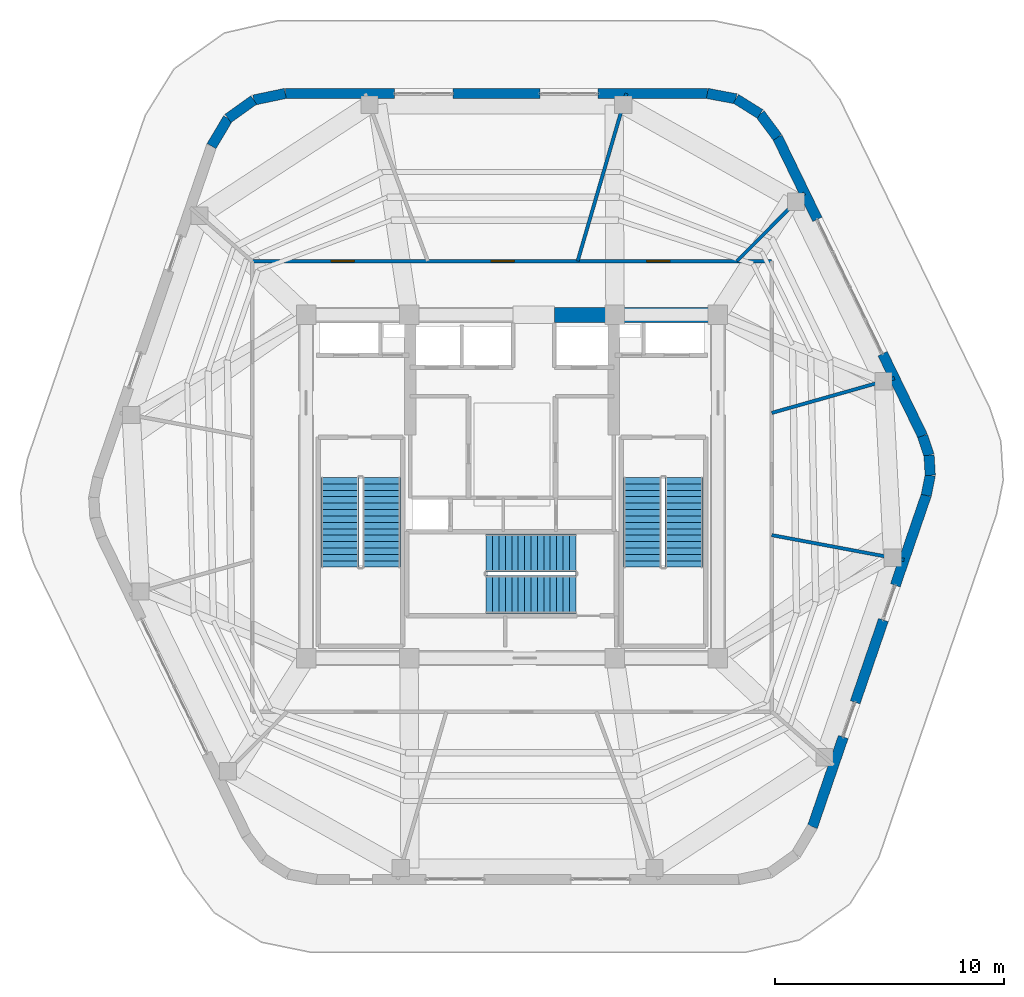
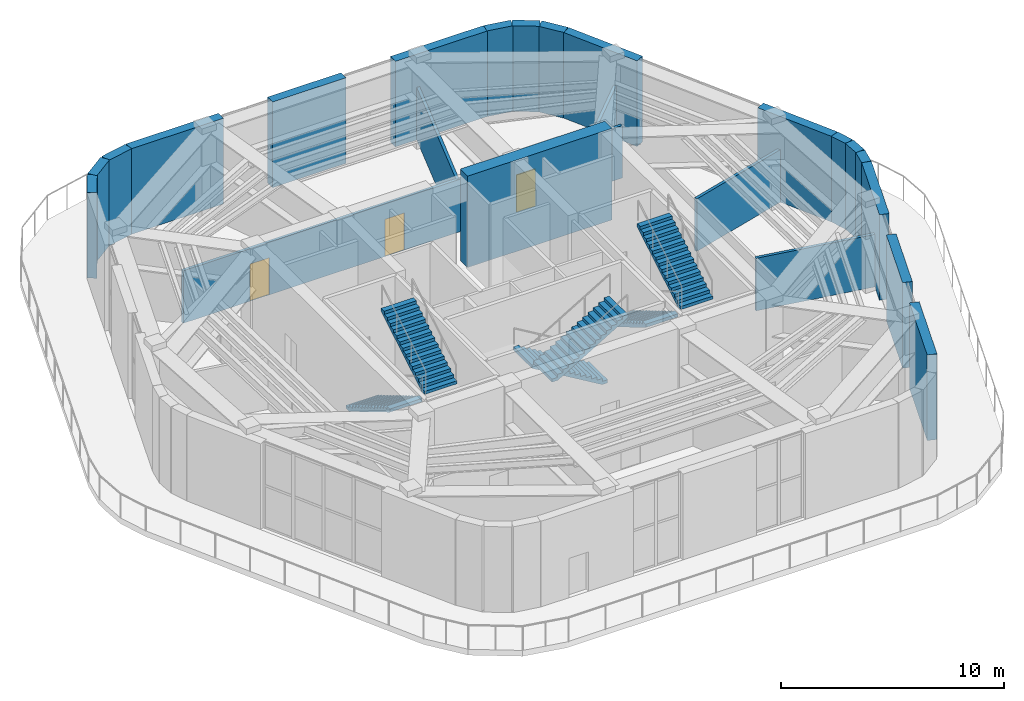
# One storey, part 19 of 24: 23 walls, 6 stair flights, 3 doors, 3 openings, 3 elements without a shape of their own.
"""IFC4 building model written with IfcOpenShell, lengths in metres."""

from ifc_helpers import new_model, si_unit, direction, frame, frame_2d, origin, place, context, subcontext, project, spatial, polyline, rectangle, outline, extrude, material, layer, layer_set, type_object, element, fill, aggregate, save


model = new_model("IFC4")

# Units and contexts
model_context = context("Model", 3, precision=1e-05, world=origin(), true_north=direction((0.0, 1.0)))
body_context = subcontext(model_context, "Body", "Model", "MODEL_VIEW")
ifc_project = project(units=[si_unit("LENGTHUNIT", "METRE"), si_unit("AREAUNIT", "SQUARE_METRE"), si_unit("VOLUMEUNIT", "CUBIC_METRE"), si_unit("PLANEANGLEUNIT", "RADIAN"), si_unit("MASSUNIT", "GRAM", prefix="KILO")], contexts=[model_context])

# Site, building, storey
site_placement = place(None, origin())
site = spatial("IfcSite", under=ifc_project, at=site_placement, CompositionType="ELEMENT")
building_placement = place(site_placement, origin())
building = spatial("IfcBuilding", under=site, at=building_placement, Name="Kilnhurst Terrace Hotel", CompositionType="ELEMENT")
storey_placement = place(building_placement, frame((0.0, 0.0, 305.39990234375)))
storey = spatial("IfcBuildingStorey", under=building, at=storey_placement, Name="L76", CompositionType="ELEMENT", Elevation=305.39990234375)

# Walls
ifc_material_1 = material(Name="Precast concrete C40/50", Category="concrete")
ifc_layer_1 = layer(ifc_material_1, 0.449951171875, Name="Precast concrete C40/50")
ifc_layer_set_1 = layer_set([ifc_layer_1], Name="Precast concrete C40/50")
wall_type_1 = type_object("IfcWallType", Name="WL-BRK-450", PredefinedType="SOLIDWALL", material=ifc_layer_set_1)
wall_1_placement = place(storey_placement, frame((18.100341796875, -0.38916015625, 0.0), z_axis=(0.0, 0.0, 1.0), x_axis=(0.198587865476, 0.980083088154, 0.0)))
element("IfcWall", 1, at=wall_1_placement, inside=storey, type_object=wall_type_1, Name="L76 Rounded Corner Brick Wall C3.1", PredefinedType="SOLIDWALL", context=body_context, shape_type="SweptSolid", body=[
    extrude(rectangle(XDim=0.892578125, YDim=0.449951171875, at=frame_2d((0.4462890625, 0.0))), origin(), (0.0, 0.0, 1.0), 4.68017578125),
])
wall_2_placement = place(storey_placement, frame((18.277587890625, 0.485595703125, 0.0), z_axis=(0.0, 0.0, 1.0), x_axis=(-0.060923410031, 0.998142443798, 0.0)))
element("IfcWall", 2, at=wall_2_placement, inside=storey, type_object=wall_type_1, Name="L76 Rounded Corner Brick Wall C3.2", PredefinedType="SOLIDWALL", context=body_context, shape_type="SweptSolid", body=[
    extrude(rectangle(XDim=0.877685546875, YDim=0.449951171875, at=frame_2d((0.43896484375, 0.0))), origin(), (0.0, 0.0, 1.0), 4.68017578125),
])
wall_3_placement = place(storey_placement, frame((18.22412109375, 1.361572265625, 0.0), z_axis=(0.0, 0.0, 1.0), x_axis=(-0.316227766017, 0.948683298051, 0.0)))
element("IfcWall", 3, at=wall_3_placement, inside=storey, type_object=wall_type_1, Name="L76 Rounded Corner Brick Wall C3.3", PredefinedType="SOLIDWALL", context=body_context, shape_type="SweptSolid", body=[
    extrude(rectangle(XDim=0.892578125, YDim=0.449951171875, at=frame_2d((0.4462890625, 0.0))), origin(), (0.0, 0.0, 1.0), 4.68017578125),
])
wall_4_placement = place(storey_placement, frame((11.6015625, 15.256103515625, 0.0), z_axis=(0.0, 0.0, 1.0), x_axis=(-0.596058719353, 0.802940846566, 0.0)))
element("IfcWall", 4, at=wall_4_placement, inside=storey, type_object=wall_type_1, Name="L76 Rounded Corner Brick Wall C4.1", PredefinedType="SOLIDWALL", context=body_context, shape_type="SweptSolid", body=[
    extrude(rectangle(XDim=1.27099609375, YDim=0.449951171875, at=frame_2d((0.635498046875, 0.0))), origin(), (0.0, 0.0, 1.0), 4.68017578125),
])
wall_5_placement = place(storey_placement, frame((10.843994140625, 16.276611328125, 0.0), z_axis=(0.0, 0.0, 1.0), x_axis=(-0.847723789959, 0.530437909597, 0.0)))
element("IfcWall", 5, at=wall_5_placement, inside=storey, type_object=wall_type_1, Name="L76 Rounded Corner Brick Wall C4.2", PredefinedType="SOLIDWALL", context=body_context, shape_type="SweptSolid", body=[
    extrude(rectangle(XDim=1.24951171875, YDim=0.449951171875, at=frame_2d((0.624755859375, 0.0))), origin(), (0.0, 0.0, 1.0), 4.68017578125),
])
wall_6_placement = place(storey_placement, frame((9.78466796875, 16.939453125, 0.0), z_axis=(0.0, 0.0, 1.0), x_axis=(-0.982664955661, 0.185390358204, 0.0)))
element("IfcWall", 6, at=wall_6_placement, inside=storey, type_object=wall_type_1, Name="L76 Rounded Corner Brick Wall C4.3", PredefinedType="SOLIDWALL", context=body_context, shape_type="SweptSolid", body=[
    extrude(rectangle(XDim=1.270751953125, YDim=0.449951171875, at=frame_2d((0.63525390625, 0.0))), origin(), (0.0, 0.0, 1.0), 4.68017578125),
])
wall_7_placement = place(storey_placement, frame((-9.90771484375, 17.175048828125, 0.0), z_axis=(0.0, 0.0, 1.0), x_axis=(-0.978709642506, -0.205249691027, 0.0)))
element("IfcWall", 7, at=wall_7_placement, inside=storey, type_object=wall_type_1, Name="L76 Rounded Corner Brick Wall C5.1", PredefinedType="SOLIDWALL", context=body_context, shape_type="SweptSolid", body=[
    extrude(rectangle(XDim=1.4072265625, YDim=0.449951171875, at=frame_2d((0.70361328125, 0.0))), origin(), (0.0, 0.0, 1.0), 4.68017578125),
])
wall_8_placement = place(storey_placement, frame((-11.284912109375, 16.88623046875, 0.0), z_axis=(0.0, 0.0, 1.0), x_axis=(-0.813840765051, -0.581087953017, 0.0)))
element("IfcWall", 8, at=wall_8_placement, inside=storey, type_object=wall_type_1, Name="L76 Rounded Corner Brick Wall C5.2", PredefinedType="SOLIDWALL", context=body_context, shape_type="SweptSolid", body=[
    extrude(rectangle(XDim=1.383544921875, YDim=0.449951171875, at=frame_2d((0.69189453125, 0.0))), origin(), (0.0, 0.0, 1.0), 4.68017578125),
])
wall_9_placement = place(storey_placement, frame((-12.410888671875, 16.082275390625, 0.0), z_axis=(0.0, 0.0, 1.0), x_axis=(-0.511788829014, -0.859111281789, 0.0)))
element("IfcWall", 9, at=wall_9_placement, inside=storey, type_object=wall_type_1, Name="L76 Rounded Corner Brick Wall C5.3", PredefinedType="SOLIDWALL", context=body_context, shape_type="SweptSolid", body=[
    extrude(rectangle(XDim=1.4072265625, YDim=0.449951171875, at=frame_2d((0.70361328125, 0.0))), origin(), (0.0, 0.0, 1.0), 4.68017578125),
])
wall_10_placement = place(storey_placement, frame((13.131103515625, -14.873291015625, 0.0), z_axis=(0.0, 0.0, 1.0), x_axis=(0.324498911717, 0.945886069405, 0.0)))
element("IfcWall", 10, at=wall_10_placement, inside=storey, type_object=wall_type_1, Name="L76 Face 2 Brick Pier 1", PredefinedType="SOLIDWALL", context=body_context, shape_type="SweptSolid", body=[
    extrude(rectangle(XDim=4.14697265625, YDim=0.449951171875, at=frame_2d((2.073486328125, 0.0))), origin(), (0.0, 0.0, 1.0), 4.68017578125),
])
wall_11_placement = place(storey_placement, frame((14.997802734375, -9.4326171875, 0.0), z_axis=(0.0, 0.0, 1.0), x_axis=(0.324503351443, 0.945884546286, 0.0)))
element("IfcWall", 11, at=wall_11_placement, inside=storey, type_object=wall_type_1, Name="L76 Face 2 Brick Pier 2", PredefinedType="SOLIDWALL", context=body_context, shape_type="SweptSolid", body=[
    extrude(rectangle(XDim=3.800048828125, YDim=0.449951171875, at=frame_2d((1.89990234375, 0.0))), origin(), (0.0, 0.0, 1.0), 4.68017578125),
])
wall_12_placement = place(storey_placement, frame((16.751708984375, -4.320068359375, 0.0), z_axis=(0.0, 0.0, 1.0), x_axis=(0.324516563827, 0.945880013428, 0.0)))
element("IfcWall", 12, at=wall_12_placement, inside=storey, type_object=wall_type_1, Name="L76 Face 2 End Brick Pier", PredefinedType="SOLIDWALL", context=body_context, shape_type="SweptSolid", body=[
    extrude(rectangle(XDim=4.15576171875, YDim=0.449951171875, at=frame_2d((2.077880859375, 0.0))), origin(), (0.0, 0.0, 1.0), 4.68017578125),
])
wall_13_placement = place(storey_placement, frame((17.94189453125, 2.208251953125, 0.0), z_axis=(0.0, 0.0, 1.0), x_axis=(-0.437062225544, 0.899431270861, 0.0)))
element("IfcWall", 13, at=wall_13_placement, inside=storey, type_object=wall_type_1, Name="L76 Face 3 Brick Pier 1", PredefinedType="SOLIDWALL", context=body_context, shape_type="SweptSolid", body=[
    extrude(rectangle(XDim=3.993896484375, YDim=0.449951171875, at=frame_2d((1.9970703125, 0.0))), origin(), (0.0, 0.0, 1.0), 4.68017578125),
])
wall_14_placement = place(storey_placement, frame((13.343994140625, 11.670166015625, 0.0), z_axis=(0.0, 0.0, 1.0), x_axis=(-0.437044105444, 0.899440075768, 0.0)))
element("IfcWall", 14, at=wall_14_placement, inside=storey, type_object=wall_type_1, Name="L76 Face 3 End Brick Pier", PredefinedType="SOLIDWALL", context=body_context, shape_type="SweptSolid", body=[
    extrude(rectangle(XDim=3.98681640625, YDim=0.449951171875, at=frame_2d((1.993408203125, 0.0))), origin(), (0.0, 0.0, 1.0), 4.68017578125),
])
wall_15_placement = place(storey_placement, frame((8.535888671875, 17.175048828125, 0.0), z_axis=(0.0, 0.0, 1.0), x_axis=(-1.0, 0.0, 0.0)))
element("IfcWall", 15, at=wall_15_placement, inside=storey, type_object=wall_type_1, Name="L76 Face 4 Brick Pier 1", PredefinedType="SOLIDWALL", context=body_context, shape_type="SweptSolid", body=[
    extrude(rectangle(XDim=4.777099609375, YDim=0.449951171875, at=frame_2d((2.388671875, 0.0))), origin(), (0.0, 0.0, 1.0), 4.68017578125),
])
wall_16_placement = place(storey_placement, frame((1.212890625, 17.175048828125, 0.0), z_axis=(0.0, 0.0, 1.0), x_axis=(-1.0, 0.0, 0.0)))
element("IfcWall", 16, at=wall_16_placement, inside=storey, type_object=wall_type_1, Name="L76 Face 4 Brick Pier 2", PredefinedType="SOLIDWALL", context=body_context, shape_type="SweptSolid", body=[
    extrude(rectangle(XDim=3.800048828125, YDim=0.449951171875, at=frame_2d((1.89990234375, 0.0))), origin(), (0.0, 0.0, 1.0), 4.68017578125),
])
wall_17_placement = place(storey_placement, frame((-5.13427734375, 17.175048828125, 0.0), z_axis=(0.0, 0.0, 1.0), x_axis=(-1.0, 0.0, 0.0)))
element("IfcWall", 17, at=wall_17_placement, inside=storey, type_object=wall_type_1, Name="L76 Face 4 End Brick Pier", PredefinedType="SOLIDWALL", context=body_context, shape_type="SweptSolid", body=[
    extrude(rectangle(XDim=4.7734375, YDim=0.449951171875, at=frame_2d((2.38671875, 0.0))), origin(), (0.0, 0.0, 1.0), 4.68017578125),
])

# Wall, openings, doors
ifc_material_2 = material(Name="Acoustic Double-Gypsum Corridor Partition Assembly")
ifc_layer_2 = layer(ifc_material_2, 0.14990234375, Name="Acoustic Double-Gypsum Corridor Partition Assembly")
ifc_layer_set_2 = layer_set([ifc_layer_2], Name="Acoustic Double-Gypsum Corridor Partition Assembly")
wall_type_2 = type_object("IfcWallType", Name="WL-COR-150", PredefinedType="PARTITIONING", material=ifc_layer_set_2)
wall_18_placement = place(storey_placement, frame((-11.35009765625, 9.85009765625, 0.0), z_axis=(0.0, 0.0, 1.0), x_axis=(1.0, 0.0, 0.0)))
wall_18 = element("IfcWall", 18, at=wall_18_placement, inside=storey, type_object=wall_type_2, Name="L76 Interior Wall WL-L76-COR-02", PredefinedType="PARTITIONING", context=body_context, shape_type="SweptSolid", body=[
    extrude(rectangle(XDim=22.7001953125, YDim=0.14990234375, at=frame_2d((11.35009765625, 0.0))), origin(), (0.0, 0.0, 1.0), 2.8701171875),
])
opening_1_placement = place(wall_18_placement, frame((17.2490234375, 0.0, 0.0)))
opening_1 = element("IfcOpeningElement", 19, at=opening_1_placement, cuts=wall_18, Name="Opening D-10A", PredefinedType="OPENING", context=body_context, shape_type="SweptSolid", body=[
    extrude(rectangle(XDim=1.0, YDim=2.030029296875, at=frame_2d((0.5, 1.01513671875))), frame((0.0, 0.0849609375, 0.0), z_axis=(0.0, -1.0, 0.0), x_axis=(1.0, 0.0, 0.0)), (0.0, 0.0, 1.0), 0.169921875),
])
opening_2_placement = place(wall_18_placement, frame((10.44091796875, 0.0, 0.0)))
opening_2 = element("IfcOpeningElement", 20, at=opening_2_placement, cuts=wall_18, Name="Opening D-10A", PredefinedType="OPENING", context=body_context, shape_type="SweptSolid", body=[
    extrude(rectangle(XDim=1.0, YDim=2.030029296875, at=frame_2d((0.5, 1.01513671875))), frame((0.0, 0.0849609375, 0.0), z_axis=(0.0, -1.0, 0.0), x_axis=(1.0, 0.0, 0.0)), (0.0, 0.0, 1.0), 0.169921875),
])
opening_3_placement = place(wall_18_placement, frame((3.4541015625, 0.0, 0.0)))
opening_3 = element("IfcOpeningElement", 21, at=opening_3_placement, cuts=wall_18, Name="Opening D-10A", PredefinedType="OPENING", context=body_context, shape_type="SweptSolid", body=[
    extrude(rectangle(XDim=1.0, YDim=2.030029296875, at=frame_2d((0.5, 1.01513671875))), frame((0.0, 0.0849609375, 0.0), z_axis=(0.0, -1.0, 0.0), x_axis=(1.0, 0.0, 0.0)), (0.0, 0.0, 1.0), 0.169921875),
])
ifc_material_3 = material(Name="Solid-Core American White Oak Interior Door")
door_type = type_object("IfcDoorType", Name="DR-INT-1000", OperationType="NOTDEFINED", PredefinedType="DOOR", material=ifc_material_3)
door_1_placement = place(opening_1_placement, origin())
door_1 = element("IfcDoor", 22, at=door_1_placement, inside=storey, type_object=door_type, Name="L76 North East Observation Indoor Gallery Center Wing Door", OperationType="SINGLE_SWING_RIGHT", OverallHeight=2.030029296875, OverallWidth=1.0, PredefinedType="DOOR", context=body_context, shape_type="SweptSolid", body=[
    extrude(rectangle(XDim=1.0, YDim=2.030029296875, at=frame_2d((0.5, 1.01513671875))), frame((0.0, 0.02490234375, 0.0), z_axis=(0.0, -1.0, 0.0), x_axis=(1.0, 0.0, 0.0)), (0.0, 0.0, 1.0), 0.050048828125),
])
fill(opening_1, door_1)
door_2_placement = place(opening_2_placement, origin())
door_2 = element("IfcDoor", 23, at=door_2_placement, inside=storey, type_object=door_type, Name="L76 North East Observation Indoor Gallery East Wing Door", OperationType="SINGLE_SWING_LEFT", OverallHeight=2.030029296875, OverallWidth=1.0, PredefinedType="DOOR", context=body_context, shape_type="SweptSolid", body=[
    extrude(rectangle(XDim=1.0, YDim=2.030029296875, at=frame_2d((0.5, 1.01513671875))), frame((0.0, 0.02490234375, 0.0), z_axis=(0.0, -1.0, 0.0), x_axis=(1.0, 0.0, 0.0)), (0.0, 0.0, 1.0), 0.050048828125),
])
fill(opening_2, door_2)
door_3_placement = place(opening_3_placement, origin())
door_3 = element("IfcDoor", 24, at=door_3_placement, inside=storey, type_object=door_type, Name="L76 North West Horizon Exhibition Hall West Wing Door", OperationType="SINGLE_SWING_RIGHT", OverallHeight=2.030029296875, OverallWidth=1.0, PredefinedType="DOOR", context=body_context, shape_type="SweptSolid", body=[
    extrude(rectangle(XDim=1.0, YDim=2.030029296875, at=frame_2d((0.5, 1.01513671875))), frame((0.0, 0.02490234375, 0.0), z_axis=(0.0, -1.0, 0.0), x_axis=(1.0, 0.0, 0.0)), (0.0, 0.0, 1.0), 0.050048828125),
])
fill(opening_3, door_3)

# Walls
ifc_material_4 = material(Name="Concrete C60/75", Category="concrete")
ifc_layer_3 = layer(ifc_material_4, 0.64990234375, Name="Concrete C60/75")
ifc_layer_set_3 = layer_set([ifc_layer_3], Name="Concrete C60/75")
wall_type_3 = type_object("IfcWallType", Name="WL-CORE-650", PredefinedType="SHEAR", material=ifc_layer_set_3)
wall_19_placement = place(storey_placement, frame((1.85009765625, 7.5, 0.0), z_axis=(0.0, 0.0, 1.0), x_axis=(1.0, 0.0, 0.0)))
element("IfcWall", 25, at=wall_19_placement, inside=storey, type_object=wall_type_3, Name="L76 Core North East Shear Wall", PredefinedType="SHEAR", context=body_context, shape_type="SweptSolid", body=[
    extrude(rectangle(XDim=7.474853515625, YDim=0.64990234375, at=frame_2d((3.7373046875, 0.0))), origin(), (0.0, 0.0, 1.0), 5.0),
])
ifc_material_5 = material(Name="150 mm Acoustic Gypsum Hospitality Partition")
ifc_layer_4 = layer(ifc_material_5, 0.14990234375, Name="150 mm Acoustic Gypsum Hospitality Partition")
ifc_layer_set_4 = layer_set([ifc_layer_4], Name="150 mm Acoustic Gypsum Hospitality Partition")
wall_type_4 = type_object("IfcWallType", Name="WL-PART-150", PredefinedType="PARTITIONING", material=ifc_layer_set_4)
wall_20_placement = place(storey_placement, frame((11.35009765625, 3.212890625, 0.0), z_axis=(0.0, 0.0, 1.0), x_axis=(0.962182015747, 0.272407357782, 0.0)))
element("IfcWall", 26, at=wall_20_placement, inside=storey, type_object=wall_type_4, Name="L76 Interior Wall WL-L76-SCOL-01-1", PredefinedType="PARTITIONING", context=body_context, shape_type="SweptSolid", body=[
    extrude(rectangle(XDim=5.576416015625, YDim=0.14990234375, at=frame_2d((2.7880859375, 0.0))), origin(), (0.0, 0.0, 1.0), 2.8701171875),
])
wall_21_placement = place(storey_placement, frame((9.830078125, 9.85009765625, 0.0), z_axis=(0.0, 0.0, 1.0), x_axis=(0.706435999186, 0.707776927467, 0.0)))
element("IfcWall", 27, at=wall_21_placement, inside=storey, type_object=wall_type_4, Name="L76 Interior Wall WL-L76-SCOL-02-1", PredefinedType="PARTITIONING", context=body_context, shape_type="SweptSolid", body=[
    extrude(rectangle(XDim=4.1875, YDim=0.14990234375, at=frame_2d((2.09375, 0.0))), origin(), (0.0, 0.0, 1.0), 2.8701171875),
])
wall_22_placement = place(storey_placement, frame((2.869384765625, 9.85009765625, 0.0), z_axis=(0.0, 0.0, 1.0), x_axis=(0.279679268414, 0.960093488583, 0.0)))
element("IfcWall", 28, at=wall_22_placement, inside=storey, type_object=wall_type_4, Name="L76 Interior Wall WL-L76-SCOL-03-1", PredefinedType="PARTITIONING", context=body_context, shape_type="SweptSolid", body=[
    extrude(rectangle(XDim=7.62939453125, YDim=0.14990234375, at=frame_2d((3.814697265625, 0.0))), origin(), (0.0, 0.0, 1.0), 2.8701171875),
])
wall_23_placement = place(storey_placement, frame((11.35009765625, -2.127197265625, 0.0), z_axis=(0.0, 0.0, 1.0), x_axis=(0.982876415115, -0.184265983326, 0.0)))
element("IfcWall", 29, at=wall_23_placement, inside=storey, type_object=wall_type_4, Name="L76 Interior Wall WL-L76-SCOL-12-1", PredefinedType="PARTITIONING", context=body_context, shape_type="SweptSolid", body=[
    extrude(rectangle(XDim=5.8828125, YDim=0.14990234375, at=frame_2d((2.94140625, 0.0))), origin(), (0.0, 0.0, 1.0), 2.8701171875),
])

# Stair, stair flights
ifc_material_6 = material(Name="Concrete C50/60", Category="concrete")
stair_type = type_object("IfcStairType", Name="STR-CORE-1660", PredefinedType="HALF_TURN_STAIR", material=ifc_material_6)
stair_1_placement = place(storey_placement, origin())
stair_1 = element("IfcStair", 30, at=stair_1_placement, inside=storey, type_object=stair_type, Name="L76 ST-1", PredefinedType="HALF_TURN_STAIR")
stair_flight_type = type_object("IfcStairFlightType", Name="FLT-RC-1660", PredefinedType="STRAIGHT", material=ifc_material_6)
stair_flight_1_placement = place(storey_placement, frame((-7.52001953125, 0.389892578125, 0.0), z_axis=(0.0, 0.0, 1.0), x_axis=(0.0, -1.0, 0.0)))
stair_flight_1 = element("IfcStairFlight", 31, at=stair_flight_1_placement, type_object=stair_flight_type, Name="ST-1 flight 1", NumberOfRisers=15, NumberOfTreads=14, PredefinedType="STRAIGHT", RiserHeight=0.166666667, TreadLength=0.28, context=body_context, shape_type="SweptSolid", body=[
    extrude(outline(polyline([(0.0, 0.0), (0.0, 0.166748046875), (0.280029296875, 0.166748046875), (0.280029296875, 0.333251953125), (0.56005859375, 0.333251953125), (0.56005859375, 0.5), (0.840087890625, 0.5), (0.840087890625, 0.666748046875), (1.1201171875, 0.666748046875), (1.1201171875, 0.833251953125), (1.39990234375, 0.833251953125), (1.39990234375, 1.0), (1.679931640625, 1.0), (1.679931640625, 1.166748046875), (1.9599609375, 1.166748046875), (1.9599609375, 1.333251953125), (2.239990234375, 1.333251953125), (2.239990234375, 1.5), (2.52001953125, 1.5), (2.52001953125, 1.666748046875), (2.800048828125, 1.666748046875), (2.800048828125, 1.833251953125), (3.080078125, 1.833251953125), (3.080078125, 2.0), (3.360107421875, 2.0), (3.360107421875, 2.166748046875), (3.639892578125, 2.166748046875), (3.639892578125, 2.333251953125), (3.919921875, 2.333251953125), (3.919921875, 2.5), (3.919921875, 2.158935546875), (0.29296875, 0.0), (0.0, 0.0)])), frame((0.0, 0.830078125, 0.0), z_axis=(0.0, -1.0, 0.0), x_axis=(1.0, 0.0, 0.0)), (0.0, 0.0, 1.0), 1.659912109375),
])
stair_flight_2_placement = place(storey_placement, frame((-5.7099609375, -3.530029296875, 2.5), z_axis=(0.0, 0.0, 1.0), x_axis=(0.0, 1.0, 0.0)))
stair_flight_2 = element("IfcStairFlight", 32, at=stair_flight_2_placement, type_object=stair_flight_type, Name="ST-1 flight 2", NumberOfRisers=15, NumberOfTreads=14, PredefinedType="STRAIGHT", RiserHeight=0.166666667, TreadLength=0.28, context=body_context, shape_type="SweptSolid", body=[
    extrude(outline(polyline([(0.0, 0.0), (0.0, 0.166748046875), (0.280029296875, 0.166748046875), (0.280029296875, 0.333251953125), (0.56005859375, 0.333251953125), (0.56005859375, 0.5), (0.840087890625, 0.5), (0.840087890625, 0.666748046875), (1.1201171875, 0.666748046875), (1.1201171875, 0.833251953125), (1.39990234375, 0.833251953125), (1.39990234375, 1.0), (1.679931640625, 1.0), (1.679931640625, 1.166748046875), (1.9599609375, 1.166748046875), (1.9599609375, 1.333251953125), (2.239990234375, 1.333251953125), (2.239990234375, 1.5), (2.52001953125, 1.5), (2.52001953125, 1.666748046875), (2.800048828125, 1.666748046875), (2.800048828125, 1.833251953125), (3.080078125, 1.833251953125), (3.080078125, 2.0), (3.360107421875, 2.0), (3.360107421875, 2.166748046875), (3.639892578125, 2.166748046875), (3.639892578125, 2.333251953125), (3.919921875, 2.333251953125), (3.919921875, 2.5), (3.919921875, 2.158935546875), (0.29296875, 0.0), (0.0, 0.0)])), frame((0.0, 0.830078125, 0.0), z_axis=(0.0, -1.0, 0.0), x_axis=(1.0, 0.0, 0.0)), (0.0, 0.0, 1.0), 1.659912109375),
])
aggregate(stair_1, [stair_flight_1, stair_flight_2])

stair_2_placement = place(storey_placement, origin())
stair_2 = element("IfcStair", 33, at=stair_2_placement, inside=storey, type_object=stair_type, Name="L76 ST-2", PredefinedType="HALF_TURN_STAIR")
stair_flight_3_placement = place(storey_placement, frame((5.7099609375, 0.389892578125, 0.0), z_axis=(0.0, 0.0, 1.0), x_axis=(0.0, -1.0, 0.0)))
stair_flight_3 = element("IfcStairFlight", 34, at=stair_flight_3_placement, type_object=stair_flight_type, Name="ST-2 flight 1", NumberOfRisers=15, NumberOfTreads=14, PredefinedType="STRAIGHT", RiserHeight=0.166666667, TreadLength=0.28, context=body_context, shape_type="SweptSolid", body=[
    extrude(outline(polyline([(0.0, 0.0), (0.0, 0.166748046875), (0.280029296875, 0.166748046875), (0.280029296875, 0.333251953125), (0.56005859375, 0.333251953125), (0.56005859375, 0.5), (0.840087890625, 0.5), (0.840087890625, 0.666748046875), (1.1201171875, 0.666748046875), (1.1201171875, 0.833251953125), (1.39990234375, 0.833251953125), (1.39990234375, 1.0), (1.679931640625, 1.0), (1.679931640625, 1.166748046875), (1.9599609375, 1.166748046875), (1.9599609375, 1.333251953125), (2.239990234375, 1.333251953125), (2.239990234375, 1.5), (2.52001953125, 1.5), (2.52001953125, 1.666748046875), (2.800048828125, 1.666748046875), (2.800048828125, 1.833251953125), (3.080078125, 1.833251953125), (3.080078125, 2.0), (3.360107421875, 2.0), (3.360107421875, 2.166748046875), (3.639892578125, 2.166748046875), (3.639892578125, 2.333251953125), (3.919921875, 2.333251953125), (3.919921875, 2.5), (3.919921875, 2.158935546875), (0.29296875, 0.0), (0.0, 0.0)])), frame((0.0, 0.830078125, 0.0), z_axis=(0.0, -1.0, 0.0), x_axis=(1.0, 0.0, 0.0)), (0.0, 0.0, 1.0), 1.659912109375),
])
stair_flight_4_placement = place(storey_placement, frame((7.52001953125, -3.530029296875, 2.5), z_axis=(0.0, 0.0, 1.0), x_axis=(0.0, 1.0, 0.0)))
stair_flight_4 = element("IfcStairFlight", 35, at=stair_flight_4_placement, type_object=stair_flight_type, Name="ST-2 flight 2", NumberOfRisers=15, NumberOfTreads=14, PredefinedType="STRAIGHT", RiserHeight=0.166666667, TreadLength=0.28, context=body_context, shape_type="SweptSolid", body=[
    extrude(outline(polyline([(0.0, 0.0), (0.0, 0.166748046875), (0.280029296875, 0.166748046875), (0.280029296875, 0.333251953125), (0.56005859375, 0.333251953125), (0.56005859375, 0.5), (0.840087890625, 0.5), (0.840087890625, 0.666748046875), (1.1201171875, 0.666748046875), (1.1201171875, 0.833251953125), (1.39990234375, 0.833251953125), (1.39990234375, 1.0), (1.679931640625, 1.0), (1.679931640625, 1.166748046875), (1.9599609375, 1.166748046875), (1.9599609375, 1.333251953125), (2.239990234375, 1.333251953125), (2.239990234375, 1.5), (2.52001953125, 1.5), (2.52001953125, 1.666748046875), (2.800048828125, 1.666748046875), (2.800048828125, 1.833251953125), (3.080078125, 1.833251953125), (3.080078125, 2.0), (3.360107421875, 2.0), (3.360107421875, 2.166748046875), (3.639892578125, 2.166748046875), (3.639892578125, 2.333251953125), (3.919921875, 2.333251953125), (3.919921875, 2.5), (3.919921875, 2.158935546875), (0.29296875, 0.0), (0.0, 0.0)])), frame((0.0, 0.830078125, 0.0), z_axis=(0.0, -1.0, 0.0), x_axis=(1.0, 0.0, 0.0)), (0.0, 0.0, 1.0), 1.659912109375),
])
aggregate(stair_2, [stair_flight_3, stair_flight_4])

stair_3_placement = place(storey_placement, origin())
stair_3 = element("IfcStair", 36, at=stair_3_placement, inside=storey, type_object=stair_type, Name="L76 ST-3", PredefinedType="HALF_TURN_STAIR")
stair_flight_5_placement = place(storey_placement, frame((2.7900390625, -2.909912109375, 0.0), z_axis=(0.0, 0.0, 1.0), x_axis=(-1.0, 0.0, 0.0)))
stair_flight_5 = element("IfcStairFlight", 37, at=stair_flight_5_placement, type_object=stair_flight_type, Name="ST-3 flight 1", NumberOfRisers=15, NumberOfTreads=14, PredefinedType="STRAIGHT", RiserHeight=0.166666667, TreadLength=0.28, context=body_context, shape_type="SweptSolid", body=[
    extrude(outline(polyline([(0.0, 0.0), (0.0, 0.166748046875), (0.280029296875, 0.166748046875), (0.280029296875, 0.333251953125), (0.56005859375, 0.333251953125), (0.56005859375, 0.5), (0.840087890625, 0.5), (0.840087890625, 0.666748046875), (1.1201171875, 0.666748046875), (1.1201171875, 0.833251953125), (1.39990234375, 0.833251953125), (1.39990234375, 1.0), (1.679931640625, 1.0), (1.679931640625, 1.166748046875), (1.9599609375, 1.166748046875), (1.9599609375, 1.333251953125), (2.239990234375, 1.333251953125), (2.239990234375, 1.5), (2.52001953125, 1.5), (2.52001953125, 1.666748046875), (2.800048828125, 1.666748046875), (2.800048828125, 1.833251953125), (3.080078125, 1.833251953125), (3.080078125, 2.0), (3.360107421875, 2.0), (3.360107421875, 2.166748046875), (3.639892578125, 2.166748046875), (3.639892578125, 2.333251953125), (3.919921875, 2.333251953125), (3.919921875, 2.5), (3.919921875, 2.158935546875), (0.29296875, 0.0), (0.0, 0.0)])), frame((0.0, 0.830078125, 0.0), z_axis=(0.0, -1.0, 0.0), x_axis=(1.0, 0.0, 0.0)), (0.0, 0.0, 1.0), 1.659912109375),
])
stair_flight_6_placement = place(storey_placement, frame((-1.1298828125, -4.719970703125, 2.5), z_axis=(0.0, 0.0, 1.0), x_axis=(1.0, 0.0, 0.0)))
stair_flight_6 = element("IfcStairFlight", 38, at=stair_flight_6_placement, type_object=stair_flight_type, Name="ST-3 flight 2", NumberOfRisers=15, NumberOfTreads=14, PredefinedType="STRAIGHT", RiserHeight=0.166666667, TreadLength=0.28, context=body_context, shape_type="SweptSolid", body=[
    extrude(outline(polyline([(0.0, 0.0), (0.0, 0.166748046875), (0.280029296875, 0.166748046875), (0.280029296875, 0.333251953125), (0.56005859375, 0.333251953125), (0.56005859375, 0.5), (0.840087890625, 0.5), (0.840087890625, 0.666748046875), (1.1201171875, 0.666748046875), (1.1201171875, 0.833251953125), (1.39990234375, 0.833251953125), (1.39990234375, 1.0), (1.679931640625, 1.0), (1.679931640625, 1.166748046875), (1.9599609375, 1.166748046875), (1.9599609375, 1.333251953125), (2.239990234375, 1.333251953125), (2.239990234375, 1.5), (2.52001953125, 1.5), (2.52001953125, 1.666748046875), (2.800048828125, 1.666748046875), (2.800048828125, 1.833251953125), (3.080078125, 1.833251953125), (3.080078125, 2.0), (3.360107421875, 2.0), (3.360107421875, 2.166748046875), (3.639892578125, 2.166748046875), (3.639892578125, 2.333251953125), (3.919921875, 2.333251953125), (3.919921875, 2.5), (3.919921875, 2.158935546875), (0.29296875, 0.0), (0.0, 0.0)])), frame((0.0, 0.830078125, 0.0), z_axis=(0.0, -1.0, 0.0), x_axis=(1.0, 0.0, 0.0)), (0.0, 0.0, 1.0), 1.659912109375),
])
aggregate(stair_3, [stair_flight_5, stair_flight_6])

save(model, "model.ifc")
